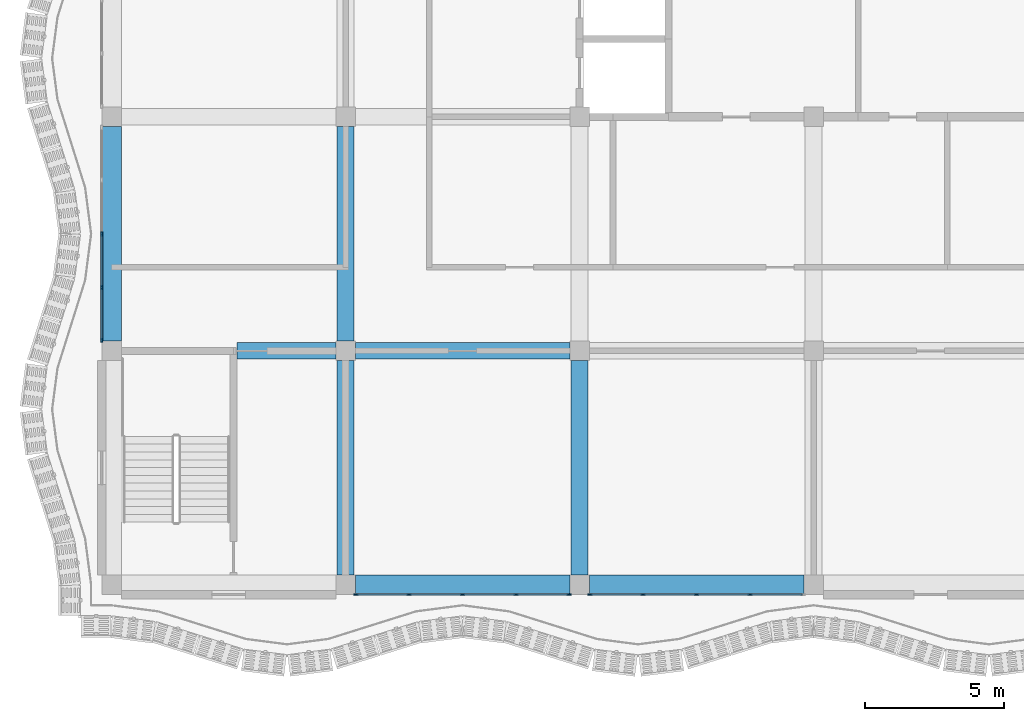
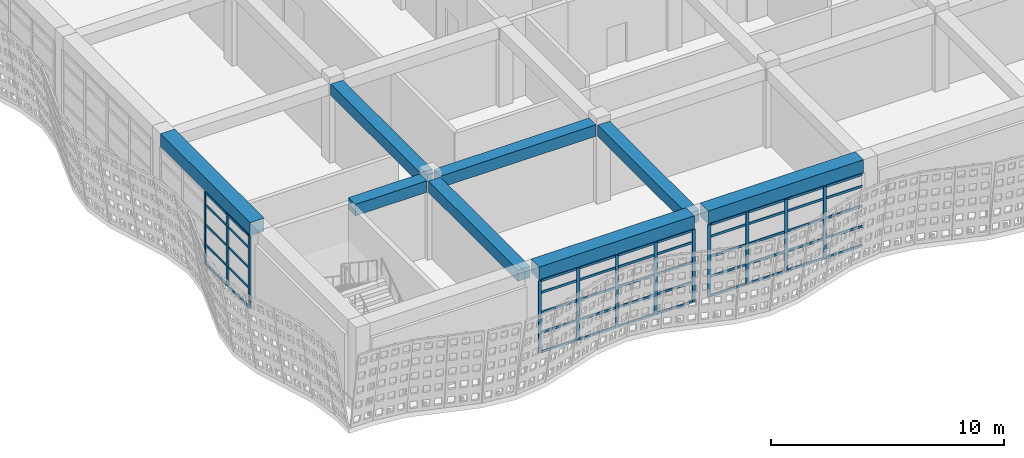
# One storey, part 3 of 163: 62 members, 8 beams, 3 elements without a shape of their own.
"""IFC4 building model written with IfcOpenShell, lengths in metres."""

from ifc_helpers import new_model, si_unit, direction, frame, origin, origin_2d, place, context, subcontext, project, spatial, rectangle, extrude, material, material_profile, profile_set, type_object, element, aggregate, save


model = new_model("IFC4")

# Units and contexts
model_context = context("Model", 3, precision=1e-05, world=origin(), true_north=direction((0.0, 1.0)))
body_context = subcontext(model_context, "Body", "Model", "MODEL_VIEW")
ifc_project = project(units=[si_unit("LENGTHUNIT", "METRE"), si_unit("AREAUNIT", "SQUARE_METRE"), si_unit("VOLUMEUNIT", "CUBIC_METRE"), si_unit("PLANEANGLEUNIT", "RADIAN"), si_unit("MASSUNIT", "GRAM", prefix="KILO")], contexts=[model_context])

# Site, building, storey
site_placement = place(None, origin())
site = spatial("IfcSite", under=ifc_project, at=site_placement, CompositionType="ELEMENT")
building_placement = place(site_placement, origin())
building = spatial("IfcBuilding", under=site, at=building_placement, Name="Rain Tree Exposition and Congress Centre", CompositionType="ELEMENT")
storey_placement = place(building_placement, frame((0.0, 0.0, 10.5)))
storey = spatial("IfcBuildingStorey", under=building, at=storey_placement, Name="L02", CompositionType="ELEMENT", Elevation=10.5)

# Beams
ifc_material_1 = material(Name="Precast concrete C50/60", Category="concrete")
ifc_material_profile_1 = material_profile(ifc_material_1, rectangle(XDim=0.60009765625, YDim=0.60009765625, at=origin_2d()), Name="RC 600x600")
ifc_profile_set_1 = profile_set([ifc_material_profile_1], Name="Precast concrete C50/60")
beam_type_1 = type_object("IfcBeamType", Name="Precast beam 600x600", PredefinedType="BEAM", material=ifc_profile_set_1)
beam_1_placement = place(storey_placement, frame((4.5, 8.39990234375, 3.85009765625), z_axis=(1.0, 0.0, 0.0), x_axis=(0.0, 1.0, 0.0)))
element("IfcBeam", 1, at=beam_1_placement, inside=storey, type_object=beam_type_1, Name="wing/beam/L02/L03/013", PredefinedType="BEAM", context=body_context, shape_type="SweptSolid", body=[
    extrude(rectangle(XDim=0.60009765625, YDim=0.60009765625, at=origin_2d()), origin(), (0.0, 0.0, 1.0), 3.550048828125),
])
for number, where, z_axis, x_axis, name in (
    (2, (8.39990234375, 0.35009765625, 3.85009765625), (0.0, 1.0, 0.0), (-1.0, 0.0, 0.0), "wing/beam/L02/L03/014"),
    (3, (8.75, 8.39990234375, 3.85009765625), (1.0, 0.0, 0.0), (0.0, 1.0, 0.0), "wing/beam/L02/L03/015"),
    (4, (8.39990234375, 8.75, 3.85009765625), (0.0, 1.0, 0.0), (-1.0, 0.0, 0.0), "wing/beam/L02/L03/016"),
    (5, (16.800048828125, 0.35009765625, 3.85009765625), (0.0, 1.0, 0.0), (-1.0, 0.0, 0.0), "wing/beam/L02/L03/026"),
):
    element("IfcBeam", number, at=place(storey_placement, frame(where, z_axis=z_axis, x_axis=x_axis)), inside=storey, type_object=beam_type_1, Name=name, PredefinedType="BEAM", context=body_context, shape_type="SweptSolid", body=[
        extrude(rectangle(XDim=0.60009765625, YDim=0.60009765625, at=origin_2d()), origin(), (0.0, 0.0, 1.0), 7.699951171875),
    ])
ifc_material_2 = material(Name="Precast concrete C50/60", Category="concrete")
ifc_material_profile_2 = material_profile(ifc_material_2, rectangle(XDim=0.699951171875, YDim=0.699951171875, at=origin_2d()), Name="RC 700x700")
ifc_profile_set_2 = profile_set([ifc_material_profile_2], Name="Precast concrete C50/60")
beam_type_2 = type_object("IfcBeamType", Name="Precast spandrel beam 700x700", PredefinedType="SPANDREL", material=ifc_profile_set_2)
for number, where, z_axis, x_axis, name in (
    (6, (8.75, 0.0, 4.14990234375), (1.0, 0.0, 0.0), (0.0, 1.0, 0.0), "wing/beam/L02/L03/003"),
    (7, (0.0, 8.75, 4.14990234375), (0.0, 1.0, 0.0), (-1.0, 0.0, 0.0), "wing/beam/L02/L03/004"),
):
    element("IfcBeam", number, at=place(storey_placement, frame(where, z_axis=z_axis, x_axis=x_axis)), inside=storey, type_object=beam_type_2, Name=name, PredefinedType="SPANDREL", context=body_context, shape_type="SweptSolid", body=[
        extrude(rectangle(XDim=0.699951171875, YDim=0.699951171875, at=origin_2d()), origin(), (0.0, 0.0, 1.0), 7.699951171875),
    ])
beam_2_placement = place(storey_placement, frame((17.14990234375, 0.0, 4.14990234375), z_axis=(1.0, 0.0, 0.0), x_axis=(0.0, 1.0, 0.0)))
element("IfcBeam", 8, at=beam_2_placement, inside=storey, type_object=beam_type_2, Name="wing/beam/L02/L03/005", PredefinedType="SPANDREL", context=body_context, shape_type="SweptSolid", body=[
    extrude(rectangle(XDim=0.699951171875, YDim=0.699951171875, at=origin_2d()), origin(), (0.0, 0.0, 1.0), 7.7001953125),
])

# Curtain wall, members
ifc_material_3 = material(Name="Aluminium curtain wall", Category="aluminium")
curtain_wall_type = type_object("IfcCurtainWallType", Name="Wing curtain wall 1925", PredefinedType="NOTDEFINED", material=ifc_material_3)
curtain_wall_1_placement = place(storey_placement, origin())
curtain_wall_1 = element("IfcCurtainWall", 9, at=curtain_wall_1_placement, inside=storey, type_object=curtain_wall_type, Name="Curtain wall CWW301", PredefinedType="NOTDEFINED")
ifc_material_4 = material(Name="Aluminium", Category="aluminium")
ifc_material_profile_3 = material_profile(ifc_material_4, rectangle(XDim=0.06005859375, YDim=0.159912109375, at=origin_2d()), Name="Aluminium 60x160")
ifc_profile_set_3 = profile_set([ifc_material_profile_3], Name="Aluminium")
member_type_1 = type_object("IfcMemberType", Name="Wing mullion 60x160", PredefinedType="MULLION", material=ifc_profile_set_3)
member_1_placement = place(storey_placement, frame((8.780029296875, -0.35009765625, 0.0), z_axis=(0.0, 0.0, 1.0), x_axis=(0.0, 1.0, 0.0)))
member_1 = element("IfcMember", 10, at=member_1_placement, type_object=member_type_1, Name="CWW301 mullion 1", PredefinedType="MULLION", context=body_context, shape_type="SweptSolid", body=[
    extrude(rectangle(XDim=0.06005859375, YDim=0.159912109375, at=origin_2d()), origin(), (0.0, 0.0, 1.0), 3.800048828125),
])
member_2_placement = place(storey_placement, frame((10.675048828125, -0.35009765625, 0.0), z_axis=(0.0, 0.0, 1.0), x_axis=(0.0, 1.0, 0.0)))
member_2 = element("IfcMember", 11, at=member_2_placement, type_object=member_type_1, Name="CWW301 mullion 2", PredefinedType="MULLION", context=body_context, shape_type="SweptSolid", body=[
    extrude(rectangle(XDim=0.06005859375, YDim=0.159912109375, at=origin_2d()), origin(), (0.0, 0.0, 1.0), 3.800048828125),
])
member_3_placement = place(storey_placement, frame((12.60009765625, -0.35009765625, 0.0), z_axis=(0.0, 0.0, 1.0), x_axis=(0.0, 1.0, 0.0)))
member_3 = element("IfcMember", 12, at=member_3_placement, type_object=member_type_1, Name="CWW301 mullion 3", PredefinedType="MULLION", context=body_context, shape_type="SweptSolid", body=[
    extrude(rectangle(XDim=0.06005859375, YDim=0.159912109375, at=origin_2d()), origin(), (0.0, 0.0, 1.0), 3.800048828125),
])
member_4_placement = place(storey_placement, frame((14.52490234375, -0.35009765625, 0.0), z_axis=(0.0, 0.0, 1.0), x_axis=(0.0, 1.0, 0.0)))
member_4 = element("IfcMember", 13, at=member_4_placement, type_object=member_type_1, Name="CWW301 mullion 4", PredefinedType="MULLION", context=body_context, shape_type="SweptSolid", body=[
    extrude(rectangle(XDim=0.06005859375, YDim=0.159912109375, at=origin_2d()), origin(), (0.0, 0.0, 1.0), 3.800048828125),
])
member_5_placement = place(storey_placement, frame((16.419921875, -0.35009765625, 0.0), z_axis=(0.0, 0.0, 1.0), x_axis=(0.0, 1.0, 0.0)))
member_5 = element("IfcMember", 14, at=member_5_placement, type_object=member_type_1, Name="CWW301 mullion 5", PredefinedType="MULLION", context=body_context, shape_type="SweptSolid", body=[
    extrude(rectangle(XDim=0.06005859375, YDim=0.159912109375, at=origin_2d()), origin(), (0.0, 0.0, 1.0), 3.800048828125),
])

curtain_wall_2_placement = place(storey_placement, origin())
curtain_wall_2 = element("IfcCurtainWall", 15, at=curtain_wall_2_placement, inside=storey, type_object=curtain_wall_type, Name="Curtain wall CWW302", PredefinedType="NOTDEFINED")
member_6_placement = place(storey_placement, frame((17.179931640625, -0.35009765625, 0.0), z_axis=(0.0, 0.0, 1.0), x_axis=(0.0, 1.0, 0.0)))
member_6 = element("IfcMember", 16, at=member_6_placement, type_object=member_type_1, Name="CWW302 mullion 1", PredefinedType="MULLION", context=body_context, shape_type="SweptSolid", body=[
    extrude(rectangle(XDim=0.06005859375, YDim=0.159912109375, at=origin_2d()), origin(), (0.0, 0.0, 1.0), 3.800048828125),
])
member_7_placement = place(storey_placement, frame((19.074951171875, -0.35009765625, 0.0), z_axis=(0.0, 0.0, 1.0), x_axis=(0.0, 1.0, 0.0)))
member_7 = element("IfcMember", 17, at=member_7_placement, type_object=member_type_1, Name="CWW302 mullion 2", PredefinedType="MULLION", context=body_context, shape_type="SweptSolid", body=[
    extrude(rectangle(XDim=0.06005859375, YDim=0.159912109375, at=origin_2d()), origin(), (0.0, 0.0, 1.0), 3.800048828125),
])
member_8_placement = place(storey_placement, frame((21.0, -0.35009765625, 0.0), z_axis=(0.0, 0.0, 1.0), x_axis=(0.0, 1.0, 0.0)))
member_8 = element("IfcMember", 18, at=member_8_placement, type_object=member_type_1, Name="CWW302 mullion 3", PredefinedType="MULLION", context=body_context, shape_type="SweptSolid", body=[
    extrude(rectangle(XDim=0.06005859375, YDim=0.159912109375, at=origin_2d()), origin(), (0.0, 0.0, 1.0), 3.800048828125),
])
member_9_placement = place(storey_placement, frame((22.925048828125, -0.35009765625, 0.0), z_axis=(0.0, 0.0, 1.0), x_axis=(0.0, 1.0, 0.0)))
member_9 = element("IfcMember", 19, at=member_9_placement, type_object=member_type_1, Name="CWW302 mullion 4", PredefinedType="MULLION", context=body_context, shape_type="SweptSolid", body=[
    extrude(rectangle(XDim=0.06005859375, YDim=0.159912109375, at=origin_2d()), origin(), (0.0, 0.0, 1.0), 3.800048828125),
])

curtain_wall_3_placement = place(storey_placement, origin())
curtain_wall_3 = element("IfcCurtainWall", 20, at=curtain_wall_3_placement, inside=storey, type_object=curtain_wall_type, Name="Curtain wall CWW308", PredefinedType="NOTDEFINED")
member_10_placement = place(storey_placement, frame((-0.35009765625, 8.780029296875, 0.0), z_axis=(0.0, 0.0, 1.0), x_axis=(-1.0, 0.0, 0.0)))
member_10 = element("IfcMember", 21, at=member_10_placement, type_object=member_type_1, Name="CWW308 mullion 1", PredefinedType="MULLION", context=body_context, shape_type="SweptSolid", body=[
    extrude(rectangle(XDim=0.06005859375, YDim=0.159912109375, at=origin_2d()), origin(), (0.0, 0.0, 1.0), 3.800048828125),
])
member_11_placement = place(storey_placement, frame((-0.35009765625, 10.675048828125, 0.0), z_axis=(0.0, 0.0, 1.0), x_axis=(-1.0, 0.0, 0.0)))
member_11 = element("IfcMember", 22, at=member_11_placement, type_object=member_type_1, Name="CWW308 mullion 2", PredefinedType="MULLION", context=body_context, shape_type="SweptSolid", body=[
    extrude(rectangle(XDim=0.06005859375, YDim=0.159912109375, at=origin_2d()), origin(), (0.0, 0.0, 1.0), 3.800048828125),
])
member_12_placement = place(storey_placement, frame((-0.35009765625, 12.60009765625, 0.0), z_axis=(0.0, 0.0, 1.0), x_axis=(-1.0, 0.0, 0.0)))
member_12 = element("IfcMember", 23, at=member_12_placement, type_object=member_type_1, Name="CWW308 mullion 3", PredefinedType="MULLION", context=body_context, shape_type="SweptSolid", body=[
    extrude(rectangle(XDim=0.06005859375, YDim=0.159912109375, at=origin_2d()), origin(), (0.0, 0.0, 1.0), 3.800048828125),
])

# Member
ifc_material_5 = material(Name="Aluminium", Category="aluminium")
ifc_material_profile_4 = material_profile(ifc_material_5, rectangle(XDim=0.06005859375, YDim=0.1201171875, at=origin_2d()), Name="Aluminium 60x120")
ifc_profile_set_4 = profile_set([ifc_material_profile_4], Name="Aluminium")
member_type_2 = type_object("IfcMemberType", Name="Wing transom 60x120", PredefinedType="USERDEFINED", material=ifc_profile_set_4)
member_13_placement = place(storey_placement, frame((8.81005859375, -0.35009765625, 0.030029296875), z_axis=(1.0, 0.0, 0.0), x_axis=(0.0, 1.0, 0.0)))
member_13 = element("IfcMember", 24, at=member_13_placement, type_object=member_type_2, Name="CWW301 transom 1.1", ObjectType="TRANSOM", PredefinedType="USERDEFINED", context=body_context, shape_type="SweptSolid", body=[
    extrude(rectangle(XDim=0.06005859375, YDim=0.1201171875, at=origin_2d()), origin(), (0.0, 0.0, 1.0), 1.8349609375),
])

member_14_placement = place(storey_placement, frame((8.81005859375, -0.35009765625, 1.050048828125), z_axis=(1.0, 0.0, 0.0), x_axis=(0.0, 1.0, 0.0)))
member_14 = element("IfcMember", 25, at=member_14_placement, type_object=member_type_2, Name="CWW301 transom 1.2", ObjectType="TRANSOM", PredefinedType="USERDEFINED", context=body_context, shape_type="SweptSolid", body=[
    extrude(rectangle(XDim=0.06005859375, YDim=0.1201171875, at=origin_2d()), origin(), (0.0, 0.0, 1.0), 1.8349609375),
])

member_15_placement = place(storey_placement, frame((8.81005859375, -0.35009765625, 2.10009765625), z_axis=(1.0, 0.0, 0.0), x_axis=(0.0, 1.0, 0.0)))
member_15 = element("IfcMember", 26, at=member_15_placement, type_object=member_type_2, Name="CWW301 transom 1.3", ObjectType="TRANSOM", PredefinedType="USERDEFINED", context=body_context, shape_type="SweptSolid", body=[
    extrude(rectangle(XDim=0.06005859375, YDim=0.1201171875, at=origin_2d()), origin(), (0.0, 0.0, 1.0), 1.8349609375),
])

member_16_placement = place(storey_placement, frame((8.81005859375, -0.35009765625, 3.14990234375), z_axis=(1.0, 0.0, 0.0), x_axis=(0.0, 1.0, 0.0)))
member_16 = element("IfcMember", 27, at=member_16_placement, type_object=member_type_2, Name="CWW301 transom 1.4", ObjectType="TRANSOM", PredefinedType="USERDEFINED", context=body_context, shape_type="SweptSolid", body=[
    extrude(rectangle(XDim=0.06005859375, YDim=0.1201171875, at=origin_2d()), origin(), (0.0, 0.0, 1.0), 1.8349609375),
])

member_17_placement = place(storey_placement, frame((8.81005859375, -0.35009765625, 3.77001953125), z_axis=(1.0, 0.0, 0.0), x_axis=(0.0, 1.0, 0.0)))
member_17 = element("IfcMember", 28, at=member_17_placement, type_object=member_type_2, Name="CWW301 transom 1.5", ObjectType="TRANSOM", PredefinedType="USERDEFINED", context=body_context, shape_type="SweptSolid", body=[
    extrude(rectangle(XDim=0.06005859375, YDim=0.1201171875, at=origin_2d()), origin(), (0.0, 0.0, 1.0), 1.8349609375),
])

member_18_placement = place(storey_placement, frame((10.705078125, -0.35009765625, 0.030029296875), z_axis=(1.0, 0.0, 0.0), x_axis=(0.0, 1.0, 0.0)))
member_18 = element("IfcMember", 29, at=member_18_placement, type_object=member_type_2, Name="CWW301 transom 2.1", ObjectType="TRANSOM", PredefinedType="USERDEFINED", context=body_context, shape_type="SweptSolid", body=[
    extrude(rectangle(XDim=0.06005859375, YDim=0.1201171875, at=origin_2d()), origin(), (0.0, 0.0, 1.0), 1.864990234375),
])

member_19_placement = place(storey_placement, frame((10.705078125, -0.35009765625, 1.050048828125), z_axis=(1.0, 0.0, 0.0), x_axis=(0.0, 1.0, 0.0)))
member_19 = element("IfcMember", 30, at=member_19_placement, type_object=member_type_2, Name="CWW301 transom 2.2", ObjectType="TRANSOM", PredefinedType="USERDEFINED", context=body_context, shape_type="SweptSolid", body=[
    extrude(rectangle(XDim=0.06005859375, YDim=0.1201171875, at=origin_2d()), origin(), (0.0, 0.0, 1.0), 1.864990234375),
])

member_20_placement = place(storey_placement, frame((10.705078125, -0.35009765625, 2.10009765625), z_axis=(1.0, 0.0, 0.0), x_axis=(0.0, 1.0, 0.0)))
member_20 = element("IfcMember", 31, at=member_20_placement, type_object=member_type_2, Name="CWW301 transom 2.3", ObjectType="TRANSOM", PredefinedType="USERDEFINED", context=body_context, shape_type="SweptSolid", body=[
    extrude(rectangle(XDim=0.06005859375, YDim=0.1201171875, at=origin_2d()), origin(), (0.0, 0.0, 1.0), 1.864990234375),
])

member_21_placement = place(storey_placement, frame((10.705078125, -0.35009765625, 3.14990234375), z_axis=(1.0, 0.0, 0.0), x_axis=(0.0, 1.0, 0.0)))
member_21 = element("IfcMember", 32, at=member_21_placement, type_object=member_type_2, Name="CWW301 transom 2.4", ObjectType="TRANSOM", PredefinedType="USERDEFINED", context=body_context, shape_type="SweptSolid", body=[
    extrude(rectangle(XDim=0.06005859375, YDim=0.1201171875, at=origin_2d()), origin(), (0.0, 0.0, 1.0), 1.864990234375),
])

member_22_placement = place(storey_placement, frame((10.705078125, -0.35009765625, 3.77001953125), z_axis=(1.0, 0.0, 0.0), x_axis=(0.0, 1.0, 0.0)))
member_22 = element("IfcMember", 33, at=member_22_placement, type_object=member_type_2, Name="CWW301 transom 2.5", ObjectType="TRANSOM", PredefinedType="USERDEFINED", context=body_context, shape_type="SweptSolid", body=[
    extrude(rectangle(XDim=0.06005859375, YDim=0.1201171875, at=origin_2d()), origin(), (0.0, 0.0, 1.0), 1.864990234375),
])

member_23_placement = place(storey_placement, frame((12.6298828125, -0.35009765625, 0.030029296875), z_axis=(1.0, 0.0, 0.0), x_axis=(0.0, 1.0, 0.0)))
member_23 = element("IfcMember", 34, at=member_23_placement, type_object=member_type_2, Name="CWW301 transom 3.1", ObjectType="TRANSOM", PredefinedType="USERDEFINED", context=body_context, shape_type="SweptSolid", body=[
    extrude(rectangle(XDim=0.06005859375, YDim=0.1201171875, at=origin_2d()), origin(), (0.0, 0.0, 1.0), 1.865234375),
])

member_24_placement = place(storey_placement, frame((12.6298828125, -0.35009765625, 1.050048828125), z_axis=(1.0, 0.0, 0.0), x_axis=(0.0, 1.0, 0.0)))
member_24 = element("IfcMember", 35, at=member_24_placement, type_object=member_type_2, Name="CWW301 transom 3.2", ObjectType="TRANSOM", PredefinedType="USERDEFINED", context=body_context, shape_type="SweptSolid", body=[
    extrude(rectangle(XDim=0.06005859375, YDim=0.1201171875, at=origin_2d()), origin(), (0.0, 0.0, 1.0), 1.865234375),
])

member_25_placement = place(storey_placement, frame((12.6298828125, -0.35009765625, 2.10009765625), z_axis=(1.0, 0.0, 0.0), x_axis=(0.0, 1.0, 0.0)))
member_25 = element("IfcMember", 36, at=member_25_placement, type_object=member_type_2, Name="CWW301 transom 3.3", ObjectType="TRANSOM", PredefinedType="USERDEFINED", context=body_context, shape_type="SweptSolid", body=[
    extrude(rectangle(XDim=0.06005859375, YDim=0.1201171875, at=origin_2d()), origin(), (0.0, 0.0, 1.0), 1.865234375),
])

member_26_placement = place(storey_placement, frame((12.6298828125, -0.35009765625, 3.14990234375), z_axis=(1.0, 0.0, 0.0), x_axis=(0.0, 1.0, 0.0)))
member_26 = element("IfcMember", 37, at=member_26_placement, type_object=member_type_2, Name="CWW301 transom 3.4", ObjectType="TRANSOM", PredefinedType="USERDEFINED", context=body_context, shape_type="SweptSolid", body=[
    extrude(rectangle(XDim=0.06005859375, YDim=0.1201171875, at=origin_2d()), origin(), (0.0, 0.0, 1.0), 1.865234375),
])

member_27_placement = place(storey_placement, frame((12.6298828125, -0.35009765625, 3.77001953125), z_axis=(1.0, 0.0, 0.0), x_axis=(0.0, 1.0, 0.0)))
member_27 = element("IfcMember", 38, at=member_27_placement, type_object=member_type_2, Name="CWW301 transom 3.5", ObjectType="TRANSOM", PredefinedType="USERDEFINED", context=body_context, shape_type="SweptSolid", body=[
    extrude(rectangle(XDim=0.06005859375, YDim=0.1201171875, at=origin_2d()), origin(), (0.0, 0.0, 1.0), 1.865234375),
])

member_28_placement = place(storey_placement, frame((14.554931640625, -0.35009765625, 0.030029296875), z_axis=(1.0, 0.0, 0.0), x_axis=(0.0, 1.0, 0.0)))
member_28 = element("IfcMember", 39, at=member_28_placement, type_object=member_type_2, Name="CWW301 transom 4.1", ObjectType="TRANSOM", PredefinedType="USERDEFINED", context=body_context, shape_type="SweptSolid", body=[
    extrude(rectangle(XDim=0.06005859375, YDim=0.1201171875, at=origin_2d()), origin(), (0.0, 0.0, 1.0), 1.8349609375),
])

member_29_placement = place(storey_placement, frame((14.554931640625, -0.35009765625, 1.050048828125), z_axis=(1.0, 0.0, 0.0), x_axis=(0.0, 1.0, 0.0)))
member_29 = element("IfcMember", 40, at=member_29_placement, type_object=member_type_2, Name="CWW301 transom 4.2", ObjectType="TRANSOM", PredefinedType="USERDEFINED", context=body_context, shape_type="SweptSolid", body=[
    extrude(rectangle(XDim=0.06005859375, YDim=0.1201171875, at=origin_2d()), origin(), (0.0, 0.0, 1.0), 1.8349609375),
])

member_30_placement = place(storey_placement, frame((14.554931640625, -0.35009765625, 2.10009765625), z_axis=(1.0, 0.0, 0.0), x_axis=(0.0, 1.0, 0.0)))
member_30 = element("IfcMember", 41, at=member_30_placement, type_object=member_type_2, Name="CWW301 transom 4.3", ObjectType="TRANSOM", PredefinedType="USERDEFINED", context=body_context, shape_type="SweptSolid", body=[
    extrude(rectangle(XDim=0.06005859375, YDim=0.1201171875, at=origin_2d()), origin(), (0.0, 0.0, 1.0), 1.8349609375),
])

member_31_placement = place(storey_placement, frame((14.554931640625, -0.35009765625, 3.14990234375), z_axis=(1.0, 0.0, 0.0), x_axis=(0.0, 1.0, 0.0)))
member_31 = element("IfcMember", 42, at=member_31_placement, type_object=member_type_2, Name="CWW301 transom 4.4", ObjectType="TRANSOM", PredefinedType="USERDEFINED", context=body_context, shape_type="SweptSolid", body=[
    extrude(rectangle(XDim=0.06005859375, YDim=0.1201171875, at=origin_2d()), origin(), (0.0, 0.0, 1.0), 1.8349609375),
])

member_32_placement = place(storey_placement, frame((14.554931640625, -0.35009765625, 3.77001953125), z_axis=(1.0, 0.0, 0.0), x_axis=(0.0, 1.0, 0.0)))
member_32 = element("IfcMember", 43, at=member_32_placement, type_object=member_type_2, Name="CWW301 transom 4.5", ObjectType="TRANSOM", PredefinedType="USERDEFINED", context=body_context, shape_type="SweptSolid", body=[
    extrude(rectangle(XDim=0.06005859375, YDim=0.1201171875, at=origin_2d()), origin(), (0.0, 0.0, 1.0), 1.8349609375),
])

aggregate(curtain_wall_1, [member_1, member_2, member_3, member_4, member_5, member_13, member_14, member_15, member_16, member_17, member_18, member_19, member_20, member_21, member_22, member_23, member_24, member_25, member_26, member_27, member_28, member_29, member_30, member_31, member_32])

member_33_placement = place(storey_placement, frame((17.2099609375, -0.35009765625, 0.030029296875), z_axis=(1.0, 0.0, 0.0), x_axis=(0.0, 1.0, 0.0)))
member_33 = element("IfcMember", 44, at=member_33_placement, type_object=member_type_2, Name="CWW302 transom 1.1", ObjectType="TRANSOM", PredefinedType="USERDEFINED", context=body_context, shape_type="SweptSolid", body=[
    extrude(rectangle(XDim=0.06005859375, YDim=0.1201171875, at=origin_2d()), origin(), (0.0, 0.0, 1.0), 1.8349609375),
])

member_34_placement = place(storey_placement, frame((17.2099609375, -0.35009765625, 1.050048828125), z_axis=(1.0, 0.0, 0.0), x_axis=(0.0, 1.0, 0.0)))
member_34 = element("IfcMember", 45, at=member_34_placement, type_object=member_type_2, Name="CWW302 transom 1.2", ObjectType="TRANSOM", PredefinedType="USERDEFINED", context=body_context, shape_type="SweptSolid", body=[
    extrude(rectangle(XDim=0.06005859375, YDim=0.1201171875, at=origin_2d()), origin(), (0.0, 0.0, 1.0), 1.8349609375),
])

member_35_placement = place(storey_placement, frame((17.2099609375, -0.35009765625, 2.10009765625), z_axis=(1.0, 0.0, 0.0), x_axis=(0.0, 1.0, 0.0)))
member_35 = element("IfcMember", 46, at=member_35_placement, type_object=member_type_2, Name="CWW302 transom 1.3", ObjectType="TRANSOM", PredefinedType="USERDEFINED", context=body_context, shape_type="SweptSolid", body=[
    extrude(rectangle(XDim=0.06005859375, YDim=0.1201171875, at=origin_2d()), origin(), (0.0, 0.0, 1.0), 1.8349609375),
])

member_36_placement = place(storey_placement, frame((17.2099609375, -0.35009765625, 3.14990234375), z_axis=(1.0, 0.0, 0.0), x_axis=(0.0, 1.0, 0.0)))
member_36 = element("IfcMember", 47, at=member_36_placement, type_object=member_type_2, Name="CWW302 transom 1.4", ObjectType="TRANSOM", PredefinedType="USERDEFINED", context=body_context, shape_type="SweptSolid", body=[
    extrude(rectangle(XDim=0.06005859375, YDim=0.1201171875, at=origin_2d()), origin(), (0.0, 0.0, 1.0), 1.8349609375),
])

member_37_placement = place(storey_placement, frame((17.2099609375, -0.35009765625, 3.77001953125), z_axis=(1.0, 0.0, 0.0), x_axis=(0.0, 1.0, 0.0)))
member_37 = element("IfcMember", 48, at=member_37_placement, type_object=member_type_2, Name="CWW302 transom 1.5", ObjectType="TRANSOM", PredefinedType="USERDEFINED", context=body_context, shape_type="SweptSolid", body=[
    extrude(rectangle(XDim=0.06005859375, YDim=0.1201171875, at=origin_2d()), origin(), (0.0, 0.0, 1.0), 1.8349609375),
])

member_38_placement = place(storey_placement, frame((19.10498046875, -0.35009765625, 0.030029296875), z_axis=(1.0, 0.0, 0.0), x_axis=(0.0, 1.0, 0.0)))
member_38 = element("IfcMember", 49, at=member_38_placement, type_object=member_type_2, Name="CWW302 transom 2.1", ObjectType="TRANSOM", PredefinedType="USERDEFINED", context=body_context, shape_type="SweptSolid", body=[
    extrude(rectangle(XDim=0.06005859375, YDim=0.1201171875, at=origin_2d()), origin(), (0.0, 0.0, 1.0), 1.864990234375),
])

member_39_placement = place(storey_placement, frame((19.10498046875, -0.35009765625, 1.050048828125), z_axis=(1.0, 0.0, 0.0), x_axis=(0.0, 1.0, 0.0)))
member_39 = element("IfcMember", 50, at=member_39_placement, type_object=member_type_2, Name="CWW302 transom 2.2", ObjectType="TRANSOM", PredefinedType="USERDEFINED", context=body_context, shape_type="SweptSolid", body=[
    extrude(rectangle(XDim=0.06005859375, YDim=0.1201171875, at=origin_2d()), origin(), (0.0, 0.0, 1.0), 1.864990234375),
])

member_40_placement = place(storey_placement, frame((19.10498046875, -0.35009765625, 2.10009765625), z_axis=(1.0, 0.0, 0.0), x_axis=(0.0, 1.0, 0.0)))
member_40 = element("IfcMember", 51, at=member_40_placement, type_object=member_type_2, Name="CWW302 transom 2.3", ObjectType="TRANSOM", PredefinedType="USERDEFINED", context=body_context, shape_type="SweptSolid", body=[
    extrude(rectangle(XDim=0.06005859375, YDim=0.1201171875, at=origin_2d()), origin(), (0.0, 0.0, 1.0), 1.864990234375),
])

member_41_placement = place(storey_placement, frame((19.10498046875, -0.35009765625, 3.14990234375), z_axis=(1.0, 0.0, 0.0), x_axis=(0.0, 1.0, 0.0)))
member_41 = element("IfcMember", 52, at=member_41_placement, type_object=member_type_2, Name="CWW302 transom 2.4", ObjectType="TRANSOM", PredefinedType="USERDEFINED", context=body_context, shape_type="SweptSolid", body=[
    extrude(rectangle(XDim=0.06005859375, YDim=0.1201171875, at=origin_2d()), origin(), (0.0, 0.0, 1.0), 1.864990234375),
])

member_42_placement = place(storey_placement, frame((19.10498046875, -0.35009765625, 3.77001953125), z_axis=(1.0, 0.0, 0.0), x_axis=(0.0, 1.0, 0.0)))
member_42 = element("IfcMember", 53, at=member_42_placement, type_object=member_type_2, Name="CWW302 transom 2.5", ObjectType="TRANSOM", PredefinedType="USERDEFINED", context=body_context, shape_type="SweptSolid", body=[
    extrude(rectangle(XDim=0.06005859375, YDim=0.1201171875, at=origin_2d()), origin(), (0.0, 0.0, 1.0), 1.864990234375),
])

member_43_placement = place(storey_placement, frame((21.030029296875, -0.35009765625, 0.030029296875), z_axis=(1.0, 0.0, 0.0), x_axis=(0.0, 1.0, 0.0)))
member_43 = element("IfcMember", 54, at=member_43_placement, type_object=member_type_2, Name="CWW302 transom 3.1", ObjectType="TRANSOM", PredefinedType="USERDEFINED", context=body_context, shape_type="SweptSolid", body=[
    extrude(rectangle(XDim=0.06005859375, YDim=0.1201171875, at=origin_2d()), origin(), (0.0, 0.0, 1.0), 1.864990234375),
])

member_44_placement = place(storey_placement, frame((21.030029296875, -0.35009765625, 1.050048828125), z_axis=(1.0, 0.0, 0.0), x_axis=(0.0, 1.0, 0.0)))
member_44 = element("IfcMember", 55, at=member_44_placement, type_object=member_type_2, Name="CWW302 transom 3.2", ObjectType="TRANSOM", PredefinedType="USERDEFINED", context=body_context, shape_type="SweptSolid", body=[
    extrude(rectangle(XDim=0.06005859375, YDim=0.1201171875, at=origin_2d()), origin(), (0.0, 0.0, 1.0), 1.864990234375),
])

member_45_placement = place(storey_placement, frame((21.030029296875, -0.35009765625, 2.10009765625), z_axis=(1.0, 0.0, 0.0), x_axis=(0.0, 1.0, 0.0)))
member_45 = element("IfcMember", 56, at=member_45_placement, type_object=member_type_2, Name="CWW302 transom 3.3", ObjectType="TRANSOM", PredefinedType="USERDEFINED", context=body_context, shape_type="SweptSolid", body=[
    extrude(rectangle(XDim=0.06005859375, YDim=0.1201171875, at=origin_2d()), origin(), (0.0, 0.0, 1.0), 1.864990234375),
])

member_46_placement = place(storey_placement, frame((21.030029296875, -0.35009765625, 3.14990234375), z_axis=(1.0, 0.0, 0.0), x_axis=(0.0, 1.0, 0.0)))
member_46 = element("IfcMember", 57, at=member_46_placement, type_object=member_type_2, Name="CWW302 transom 3.4", ObjectType="TRANSOM", PredefinedType="USERDEFINED", context=body_context, shape_type="SweptSolid", body=[
    extrude(rectangle(XDim=0.06005859375, YDim=0.1201171875, at=origin_2d()), origin(), (0.0, 0.0, 1.0), 1.864990234375),
])

member_47_placement = place(storey_placement, frame((21.030029296875, -0.35009765625, 3.77001953125), z_axis=(1.0, 0.0, 0.0), x_axis=(0.0, 1.0, 0.0)))
member_47 = element("IfcMember", 58, at=member_47_placement, type_object=member_type_2, Name="CWW302 transom 3.5", ObjectType="TRANSOM", PredefinedType="USERDEFINED", context=body_context, shape_type="SweptSolid", body=[
    extrude(rectangle(XDim=0.06005859375, YDim=0.1201171875, at=origin_2d()), origin(), (0.0, 0.0, 1.0), 1.864990234375),
])

member_48_placement = place(storey_placement, frame((22.955078125, -0.35009765625, 0.030029296875), z_axis=(1.0, 0.0, 0.0), x_axis=(0.0, 1.0, 0.0)))
member_48 = element("IfcMember", 59, at=member_48_placement, type_object=member_type_2, Name="CWW302 transom 4.1", ObjectType="TRANSOM", PredefinedType="USERDEFINED", context=body_context, shape_type="SweptSolid", body=[
    extrude(rectangle(XDim=0.06005859375, YDim=0.1201171875, at=origin_2d()), origin(), (0.0, 0.0, 1.0), 1.8349609375),
])

member_49_placement = place(storey_placement, frame((22.955078125, -0.35009765625, 1.050048828125), z_axis=(1.0, 0.0, 0.0), x_axis=(0.0, 1.0, 0.0)))
member_49 = element("IfcMember", 60, at=member_49_placement, type_object=member_type_2, Name="CWW302 transom 4.2", ObjectType="TRANSOM", PredefinedType="USERDEFINED", context=body_context, shape_type="SweptSolid", body=[
    extrude(rectangle(XDim=0.06005859375, YDim=0.1201171875, at=origin_2d()), origin(), (0.0, 0.0, 1.0), 1.8349609375),
])

member_50_placement = place(storey_placement, frame((22.955078125, -0.35009765625, 2.10009765625), z_axis=(1.0, 0.0, 0.0), x_axis=(0.0, 1.0, 0.0)))
member_50 = element("IfcMember", 61, at=member_50_placement, type_object=member_type_2, Name="CWW302 transom 4.3", ObjectType="TRANSOM", PredefinedType="USERDEFINED", context=body_context, shape_type="SweptSolid", body=[
    extrude(rectangle(XDim=0.06005859375, YDim=0.1201171875, at=origin_2d()), origin(), (0.0, 0.0, 1.0), 1.8349609375),
])

member_51_placement = place(storey_placement, frame((22.955078125, -0.35009765625, 3.14990234375), z_axis=(1.0, 0.0, 0.0), x_axis=(0.0, 1.0, 0.0)))
member_51 = element("IfcMember", 62, at=member_51_placement, type_object=member_type_2, Name="CWW302 transom 4.4", ObjectType="TRANSOM", PredefinedType="USERDEFINED", context=body_context, shape_type="SweptSolid", body=[
    extrude(rectangle(XDim=0.06005859375, YDim=0.1201171875, at=origin_2d()), origin(), (0.0, 0.0, 1.0), 1.8349609375),
])

member_52_placement = place(storey_placement, frame((22.955078125, -0.35009765625, 3.77001953125), z_axis=(1.0, 0.0, 0.0), x_axis=(0.0, 1.0, 0.0)))
member_52 = element("IfcMember", 63, at=member_52_placement, type_object=member_type_2, Name="CWW302 transom 4.5", ObjectType="TRANSOM", PredefinedType="USERDEFINED", context=body_context, shape_type="SweptSolid", body=[
    extrude(rectangle(XDim=0.06005859375, YDim=0.1201171875, at=origin_2d()), origin(), (0.0, 0.0, 1.0), 1.8349609375),
])

aggregate(curtain_wall_2, [member_6, member_7, member_8, member_9, member_33, member_34, member_35, member_36, member_37, member_38, member_39, member_40, member_41, member_42, member_43, member_44, member_45, member_46, member_47, member_48, member_49, member_50, member_51, member_52])

member_53_placement = place(storey_placement, frame((-0.35009765625, 8.81005859375, 0.030029296875), z_axis=(0.0, 1.0, 0.0), x_axis=(-1.0, 0.0, 0.0)))
member_53 = element("IfcMember", 64, at=member_53_placement, type_object=member_type_2, Name="CWW308 transom 1.1", ObjectType="TRANSOM", PredefinedType="USERDEFINED", context=body_context, shape_type="SweptSolid", body=[
    extrude(rectangle(XDim=0.06005859375, YDim=0.1201171875, at=origin_2d()), origin(), (0.0, 0.0, 1.0), 1.8349609375),
])

member_54_placement = place(storey_placement, frame((-0.35009765625, 8.81005859375, 1.050048828125), z_axis=(0.0, 1.0, 0.0), x_axis=(-1.0, 0.0, 0.0)))
member_54 = element("IfcMember", 65, at=member_54_placement, type_object=member_type_2, Name="CWW308 transom 1.2", ObjectType="TRANSOM", PredefinedType="USERDEFINED", context=body_context, shape_type="SweptSolid", body=[
    extrude(rectangle(XDim=0.06005859375, YDim=0.1201171875, at=origin_2d()), origin(), (0.0, 0.0, 1.0), 1.8349609375),
])

member_55_placement = place(storey_placement, frame((-0.35009765625, 8.81005859375, 2.10009765625), z_axis=(0.0, 1.0, 0.0), x_axis=(-1.0, 0.0, 0.0)))
member_55 = element("IfcMember", 66, at=member_55_placement, type_object=member_type_2, Name="CWW308 transom 1.3", ObjectType="TRANSOM", PredefinedType="USERDEFINED", context=body_context, shape_type="SweptSolid", body=[
    extrude(rectangle(XDim=0.06005859375, YDim=0.1201171875, at=origin_2d()), origin(), (0.0, 0.0, 1.0), 1.8349609375),
])

member_56_placement = place(storey_placement, frame((-0.35009765625, 8.81005859375, 3.14990234375), z_axis=(0.0, 1.0, 0.0), x_axis=(-1.0, 0.0, 0.0)))
member_56 = element("IfcMember", 67, at=member_56_placement, type_object=member_type_2, Name="CWW308 transom 1.4", ObjectType="TRANSOM", PredefinedType="USERDEFINED", context=body_context, shape_type="SweptSolid", body=[
    extrude(rectangle(XDim=0.06005859375, YDim=0.1201171875, at=origin_2d()), origin(), (0.0, 0.0, 1.0), 1.8349609375),
])

member_57_placement = place(storey_placement, frame((-0.35009765625, 8.81005859375, 3.77001953125), z_axis=(0.0, 1.0, 0.0), x_axis=(-1.0, 0.0, 0.0)))
member_57 = element("IfcMember", 68, at=member_57_placement, type_object=member_type_2, Name="CWW308 transom 1.5", ObjectType="TRANSOM", PredefinedType="USERDEFINED", context=body_context, shape_type="SweptSolid", body=[
    extrude(rectangle(XDim=0.06005859375, YDim=0.1201171875, at=origin_2d()), origin(), (0.0, 0.0, 1.0), 1.8349609375),
])

member_58_placement = place(storey_placement, frame((-0.35009765625, 10.705078125, 0.030029296875), z_axis=(0.0, 1.0, 0.0), x_axis=(-1.0, 0.0, 0.0)))
member_58 = element("IfcMember", 69, at=member_58_placement, type_object=member_type_2, Name="CWW308 transom 2.1", ObjectType="TRANSOM", PredefinedType="USERDEFINED", context=body_context, shape_type="SweptSolid", body=[
    extrude(rectangle(XDim=0.06005859375, YDim=0.1201171875, at=origin_2d()), origin(), (0.0, 0.0, 1.0), 1.864990234375),
])

member_59_placement = place(storey_placement, frame((-0.35009765625, 10.705078125, 1.050048828125), z_axis=(0.0, 1.0, 0.0), x_axis=(-1.0, 0.0, 0.0)))
member_59 = element("IfcMember", 70, at=member_59_placement, type_object=member_type_2, Name="CWW308 transom 2.2", ObjectType="TRANSOM", PredefinedType="USERDEFINED", context=body_context, shape_type="SweptSolid", body=[
    extrude(rectangle(XDim=0.06005859375, YDim=0.1201171875, at=origin_2d()), origin(), (0.0, 0.0, 1.0), 1.864990234375),
])

member_60_placement = place(storey_placement, frame((-0.35009765625, 10.705078125, 2.10009765625), z_axis=(0.0, 1.0, 0.0), x_axis=(-1.0, 0.0, 0.0)))
member_60 = element("IfcMember", 71, at=member_60_placement, type_object=member_type_2, Name="CWW308 transom 2.3", ObjectType="TRANSOM", PredefinedType="USERDEFINED", context=body_context, shape_type="SweptSolid", body=[
    extrude(rectangle(XDim=0.06005859375, YDim=0.1201171875, at=origin_2d()), origin(), (0.0, 0.0, 1.0), 1.864990234375),
])

member_61_placement = place(storey_placement, frame((-0.35009765625, 10.705078125, 3.14990234375), z_axis=(0.0, 1.0, 0.0), x_axis=(-1.0, 0.0, 0.0)))
member_61 = element("IfcMember", 72, at=member_61_placement, type_object=member_type_2, Name="CWW308 transom 2.4", ObjectType="TRANSOM", PredefinedType="USERDEFINED", context=body_context, shape_type="SweptSolid", body=[
    extrude(rectangle(XDim=0.06005859375, YDim=0.1201171875, at=origin_2d()), origin(), (0.0, 0.0, 1.0), 1.864990234375),
])

member_62_placement = place(storey_placement, frame((-0.35009765625, 10.705078125, 3.77001953125), z_axis=(0.0, 1.0, 0.0), x_axis=(-1.0, 0.0, 0.0)))
member_62 = element("IfcMember", 73, at=member_62_placement, type_object=member_type_2, Name="CWW308 transom 2.5", ObjectType="TRANSOM", PredefinedType="USERDEFINED", context=body_context, shape_type="SweptSolid", body=[
    extrude(rectangle(XDim=0.06005859375, YDim=0.1201171875, at=origin_2d()), origin(), (0.0, 0.0, 1.0), 1.864990234375),
])

aggregate(curtain_wall_3, [member_10, member_11, member_12, member_53, member_54, member_55, member_56, member_57, member_58, member_59, member_60, member_61, member_62])

save(model, "model.ifc")
